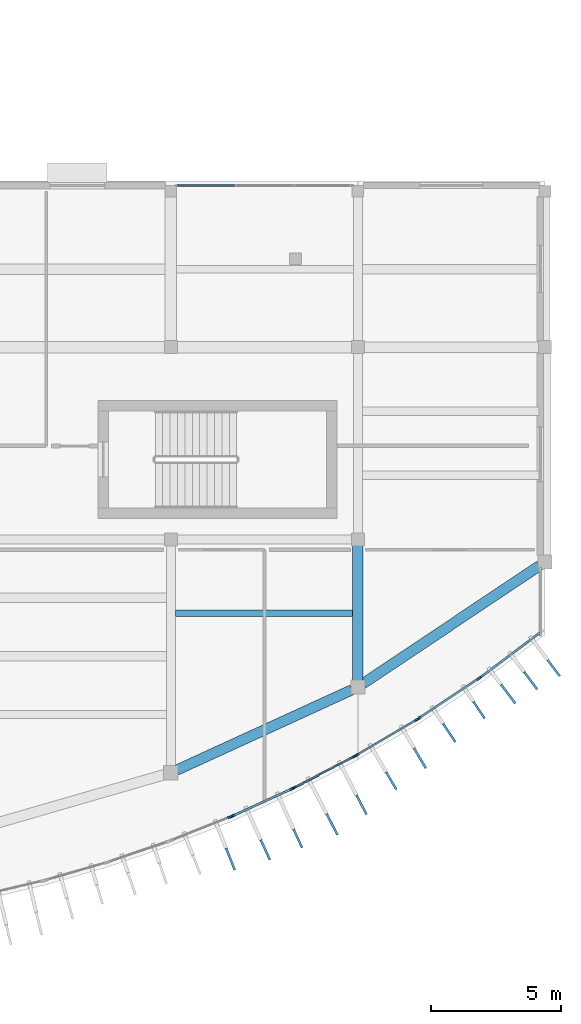
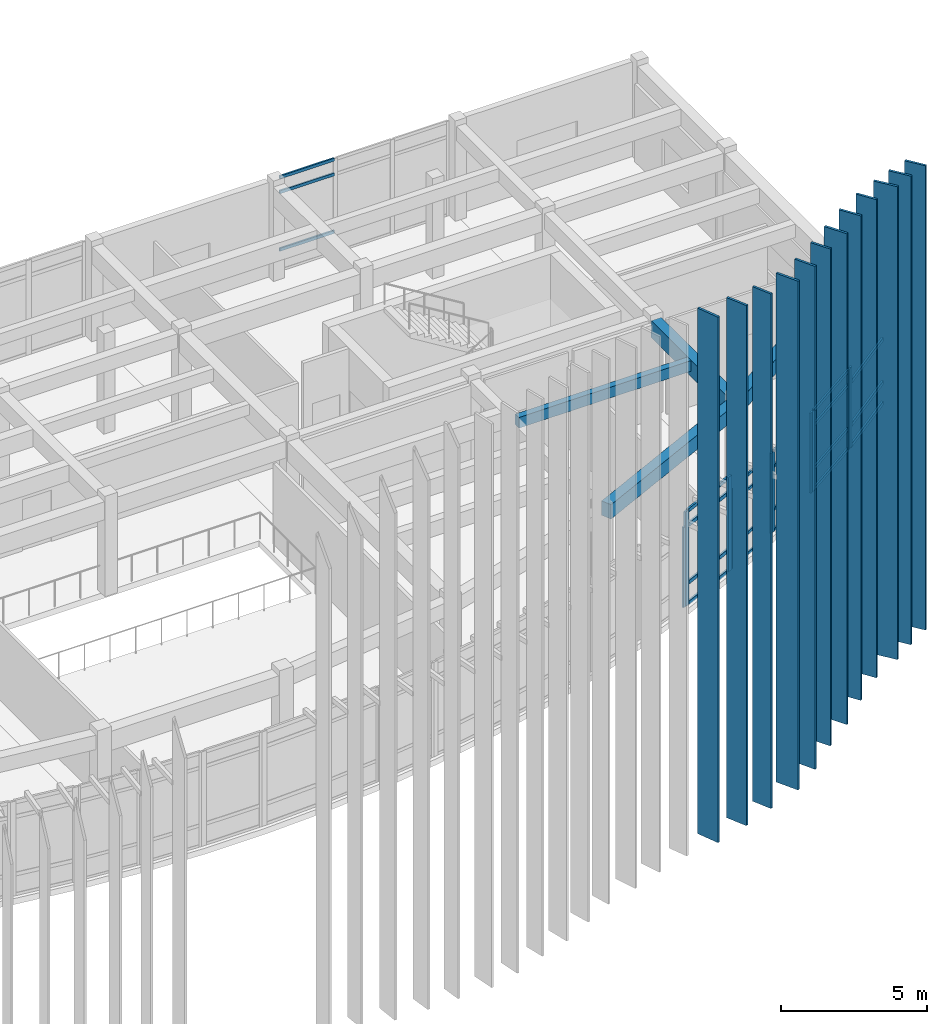
# One storey, part 21 of 47: 44 members, 4 beams, 7 elements without a shape of their own.
"""IFC4 building model written with IfcOpenShell, lengths in metres."""

from ifc_helpers import new_model, si_unit, direction, frame, origin, origin_2d, place, context, subcontext, project, spatial, rectangle, extrude, material, layer, layer_set, material_profile, profile_set, type_object, element, aggregate, save


model = new_model("IFC4")

# Units and contexts
model_context = context("Model", 3, precision=1e-05, world=origin(), true_north=direction((0.0, 1.0)))
body_context = subcontext(model_context, "Body", "Model", "MODEL_VIEW")
ifc_project = project(units=[si_unit("LENGTHUNIT", "METRE"), si_unit("AREAUNIT", "SQUARE_METRE"), si_unit("VOLUMEUNIT", "CUBIC_METRE"), si_unit("PLANEANGLEUNIT", "RADIAN"), si_unit("MASSUNIT", "GRAM", prefix="KILO")], contexts=[model_context])

# Site, building, storey
site_placement = place(None, origin())
site = spatial("IfcSite", under=ifc_project, at=site_placement, CompositionType="ELEMENT")
building_placement = place(site_placement, origin())
building = spatial("IfcBuilding", under=site, at=building_placement, Name="Brisavento Harbour Community Centre", CompositionType="ELEMENT")
storey_placement = place(building_placement, frame((0.0, 0.0, 8.699951171875)))
storey = spatial("IfcBuildingStorey", under=building, at=storey_placement, Name="L02", CompositionType="ELEMENT", Elevation=8.699951171875)

# Beams
ifc_material_1 = material(Name="Concrete C35/45", Category="concrete")
ifc_material_profile_1 = material_profile(ifc_material_1, rectangle(XDim=0.25, YDim=0.449951171875, at=origin_2d()), Name="Concrete C35/45")
ifc_profile_set_1 = profile_set([ifc_material_profile_1], Name="Concrete C35/45")
beam_type_1 = type_object("IfcBeamType", Name="BM-JST-250x450", PredefinedType="JOIST", material=ifc_profile_set_1)
beam_1_placement = place(storey_placement, frame((158.574951171875, 12.156982421875, 3.735107421875), z_axis=(1.0, 0.0, 0.0), x_axis=(0.0, 1.0, 0.0)))
element("IfcBeam", 1, at=beam_1_placement, inside=storey, type_object=beam_type_1, Name="L02 secondary floor joist 0321", PredefinedType="JOIST", context=body_context, shape_type="SweptSolid", body=[
    extrude(rectangle(XDim=0.25, YDim=0.449951171875, at=origin_2d()), origin(), (0.0, 0.0, 1.0), 6.824951171875),
])
ifc_material_profile_2 = material_profile(ifc_material_1, rectangle(XDim=0.39990234375, YDim=0.699951171875, at=origin_2d()), Name="Concrete C35/45")
ifc_profile_set_2 = profile_set([ifc_material_profile_2], Name="Concrete C35/45")
beam_type_2 = type_object("IfcBeamType", Name="BM-RC-400x700", PredefinedType="BEAM", material=ifc_profile_set_2)
beam_2_placement = place(storey_placement, frame((165.60009765625, 9.55908203125, 3.610107421875), z_axis=(0.0, 1.0, 0.0), x_axis=(-1.0, 0.0, 0.0)))
element("IfcBeam", 2, at=beam_2_placement, inside=storey, type_object=beam_type_2, Name="L02 primary girder Y0627", PredefinedType="BEAM", context=body_context, shape_type="SweptSolid", body=[
    extrude(rectangle(XDim=0.39990234375, YDim=0.699951171875, at=origin_2d()), origin(), (0.0, 0.0, 1.0), 5.220947265625),
])
ifc_material_profile_3 = material_profile(ifc_material_1, rectangle(XDim=0.39990234375, YDim=0.60009765625, at=origin_2d()), Name="Concrete C35/45")
ifc_profile_set_3 = profile_set([ifc_material_profile_3], Name="Concrete C35/45")
beam_type_3 = type_object("IfcBeamType", Name="BM-SPN-400x600", PredefinedType="SPANDREL", material=ifc_profile_set_3)
beam_3_placement = place(storey_placement, frame((158.622802734375, 6.1171875, 3.66015625), z_axis=(0.909117712907, 0.416539294759, 0.0), x_axis=(-0.416539294759, 0.909117712907, 0.0)))
element("IfcBeam", 3, at=beam_3_placement, inside=storey, type_object=beam_type_3, Name="L02 curved perimeter spandrel 0644", PredefinedType="SPANDREL", context=body_context, shape_type="SweptSolid", body=[
    extrude(rectangle(XDim=0.39990234375, YDim=0.60009765625, at=origin_2d()), origin(), (0.0, 0.0, 1.0), 7.4296875),
])
beam_4_placement = place(storey_placement, frame((165.8037109375, 9.4501953125, 3.66015625), z_axis=(0.831304857774, 0.555816726486, 0.0), x_axis=(-0.555816726486, 0.831304857774, 0.0)))
element("IfcBeam", 4, at=beam_4_placement, inside=storey, type_object=beam_type_3, Name="L02 curved perimeter spandrel 0645", PredefinedType="SPANDREL", context=body_context, shape_type="SweptSolid", body=[
    extrude(rectangle(XDim=0.39990234375, YDim=0.60009765625, at=origin_2d()), origin(), (0.0, 0.0, 1.0), 8.1708984375),
])

# Curtain wall, members
ifc_material_2 = material(Name="Marine-anodised aluminium AW-6063-T6", Category="aluminium")
ifc_layer_1 = layer(ifc_material_2, 0.179931640625, Name="Marine-anodised aluminium AW-6063-T6")
ifc_layer_set_1 = layer_set([ifc_layer_1], Name="Marine-anodised aluminium AW-6063-T6")
curtain_wall_type_1 = type_object("IfcCurtainWallType", Name="CW-SYS-01", PredefinedType="USERDEFINED", material=ifc_layer_set_1)
curtain_wall_1_placement = place(storey_placement, origin())
curtain_wall_1 = element("IfcCurtainWall", 5, at=curtain_wall_1_placement, inside=storey, type_object=curtain_wall_type_1, Name="L02 V3 unitised curtain wall 141", ObjectType="UNITISED CURTAIN WALL", PredefinedType="USERDEFINED")
ifc_material_profile_4 = material_profile(ifc_material_2, rectangle(XDim=0.06494140625, YDim=0.1650390625, at=origin_2d()), Name="Marine-anodised aluminium AW-6063-T6")
ifc_profile_set_4 = profile_set([ifc_material_profile_4], Name="Marine-anodised aluminium AW-6063-T6")
member_type_1 = type_object("IfcMemberType", Name="CWM-01", PredefinedType="MULLION", material=ifc_profile_set_4)
member_1_placement = place(storey_placement, frame((165.47216796875, 6.650634765625, 0.0), z_axis=(0.0, 0.0, 1.0), x_axis=(0.461718322689, -0.887026600781, 0.0)))
member_1 = element("IfcMember", 6, at=member_1_placement, type_object=member_type_1, Name="CW-01 mullion 1", PredefinedType="MULLION", context=body_context, shape_type="SweptSolid", body=[
    extrude(rectangle(XDim=0.06494140625, YDim=0.1650390625, at=origin_2d()), origin(), (0.0, 0.0, 1.0), 3.360107421875),
])
member_2_placement = place(storey_placement, frame((163.16162109375, 5.447998046875, 0.0), z_axis=(0.0, 0.0, 1.0), x_axis=(0.461718322689, -0.887026600781, 0.0)))
member_2 = element("IfcMember", 7, at=member_2_placement, type_object=member_type_1, Name="CW-01 mullion 2", PredefinedType="MULLION", context=body_context, shape_type="SweptSolid", body=[
    extrude(rectangle(XDim=0.06494140625, YDim=0.1650390625, at=origin_2d()), origin(), (0.0, 0.0, 1.0), 3.360107421875),
])

ifc_layer_2 = layer(ifc_material_2, 0.179931640625, Name="Marine-anodised aluminium AW-6063-T6")
ifc_layer_set_2 = layer_set([ifc_layer_2], Name="Marine-anodised aluminium AW-6063-T6")
curtain_wall_type_2 = type_object("IfcCurtainWallType", Name="CW-SYS-02", PredefinedType="USERDEFINED", material=ifc_layer_set_2)
curtain_wall_2_placement = place(storey_placement, origin())
curtain_wall_2 = element("IfcCurtainWall", 8, at=curtain_wall_2_placement, inside=storey, type_object=curtain_wall_type_2, Name="L02 V3 unitised curtain wall 142", ObjectType="UNITISED CURTAIN WALL", PredefinedType="USERDEFINED")
ifc_material_profile_5 = material_profile(ifc_material_2, rectangle(XDim=0.070068359375, YDim=0.179931640625, at=origin_2d()), Name="Marine-anodised aluminium AW-6063-T6")
ifc_profile_set_5 = profile_set([ifc_material_profile_5], Name="Marine-anodised aluminium AW-6063-T6")
member_type_2 = type_object("IfcMemberType", Name="CWM-02", PredefinedType="MULLION", material=ifc_profile_set_5)
member_3_placement = place(storey_placement, frame((167.863037109375, 8.057373046875, 0.0), z_axis=(0.0, 0.0, 1.0), x_axis=(0.50787640703, -0.861429947925, 0.0)))
member_3 = element("IfcMember", 9, at=member_3_placement, type_object=member_type_2, Name="CW-02 mullion 1", PredefinedType="MULLION", context=body_context, shape_type="SweptSolid", body=[
    extrude(rectangle(XDim=0.070068359375, YDim=0.179931640625, at=origin_2d()), origin(), (0.0, 0.0, 1.0), 3.360107421875),
])
member_4_placement = place(storey_placement, frame((165.55419921875, 6.6962890625, 0.0), z_axis=(0.0, 0.0, 1.0), x_axis=(0.50787640703, -0.861429947925, 0.0)))
member_4 = element("IfcMember", 10, at=member_4_placement, type_object=member_type_2, Name="CW-02 mullion 2", PredefinedType="MULLION", context=body_context, shape_type="SweptSolid", body=[
    extrude(rectangle(XDim=0.070068359375, YDim=0.179931640625, at=origin_2d()), origin(), (0.0, 0.0, 1.0), 3.360107421875),
])

# Curtain wall, member
ifc_layer_3 = layer(ifc_material_2, 0.179931640625, Name="Marine-anodised aluminium AW-6063-T6")
ifc_layer_set_3 = layer_set([ifc_layer_3], Name="Marine-anodised aluminium AW-6063-T6")
curtain_wall_type_3 = type_object("IfcCurtainWallType", Name="CW-SYS-27", PredefinedType="USERDEFINED", material=ifc_layer_set_3)
curtain_wall_3_placement = place(storey_placement, origin())
curtain_wall_3 = element("IfcCurtainWall", 11, at=curtain_wall_3_placement, inside=storey, type_object=curtain_wall_type_3, Name="L02 V3 unitised curtain wall 139", ObjectType="UNITISED CURTAIN WALL", PredefinedType="USERDEFINED")
ifc_material_profile_6 = material_profile(ifc_material_2, rectangle(XDim=0.074951171875, YDim=0.18994140625, at=origin_2d()), Name="Marine-anodised aluminium AW-6063-T6")
ifc_profile_set_6 = profile_set([ifc_material_profile_6], Name="Marine-anodised aluminium AW-6063-T6")
member_type_3 = type_object("IfcMemberType", Name="CWM-03", PredefinedType="MULLION", material=ifc_profile_set_6)
member_5_placement = place(storey_placement, frame((160.681884765625, 4.3154296875, 0.0), z_axis=(0.0, 0.0, 1.0), x_axis=(0.369379094613, -0.929278798027, 0.0)))
member_5 = element("IfcMember", 12, at=member_5_placement, type_object=member_type_3, Name="CW-27 mullion 1", PredefinedType="MULLION", context=body_context, shape_type="SweptSolid", body=[
    extrude(rectangle(XDim=0.074951171875, YDim=0.18994140625, at=origin_2d()), origin(), (0.0, 0.0, 1.0), 3.360107421875),
])
aggregate(curtain_wall_3, [member_5])

# Curtain wall, members
ifc_layer_4 = layer(ifc_material_2, 0.179931640625, Name="Marine-anodised aluminium AW-6063-T6")
ifc_layer_set_4 = layer_set([ifc_layer_4], Name="Marine-anodised aluminium AW-6063-T6")
curtain_wall_type_4 = type_object("IfcCurtainWallType", Name="CW-SYS-03", PredefinedType="USERDEFINED", material=ifc_layer_set_4)
curtain_wall_4_placement = place(storey_placement, origin())
curtain_wall_4 = element("IfcCurtainWall", 13, at=curtain_wall_4_placement, inside=storey, type_object=curtain_wall_type_4, Name="L02 V3 unitised curtain wall 143", ObjectType="UNITISED CURTAIN WALL", PredefinedType="USERDEFINED")
member_6_placement = place(storey_placement, frame((170.254150390625, 9.6455078125, 0.0), z_axis=(0.0, 0.0, 1.0), x_axis=(0.554067779199, -0.832471558705, 0.0)))
member_6 = element("IfcMember", 14, at=member_6_placement, type_object=member_type_3, Name="CW-03 mullion 1", PredefinedType="MULLION", context=body_context, shape_type="SweptSolid", body=[
    extrude(rectangle(XDim=0.074951171875, YDim=0.18994140625, at=origin_2d()), origin(), (0.0, 0.0, 1.0), 3.360107421875),
])
member_7_placement = place(storey_placement, frame((167.946533203125, 8.10986328125, 0.0), z_axis=(0.0, 0.0, 1.0), x_axis=(0.554067779199, -0.832471558705, 0.0)))
member_7 = element("IfcMember", 15, at=member_7_placement, type_object=member_type_3, Name="CW-03 mullion 2", PredefinedType="MULLION", context=body_context, shape_type="SweptSolid", body=[
    extrude(rectangle(XDim=0.074951171875, YDim=0.18994140625, at=origin_2d()), origin(), (0.0, 0.0, 1.0), 3.360107421875),
])

ifc_layer_5 = layer(ifc_material_2, 0.179931640625, Name="Marine-anodised aluminium AW-6063-T6")
ifc_layer_set_5 = layer_set([ifc_layer_5], Name="Marine-anodised aluminium AW-6063-T6")
curtain_wall_type_5 = type_object("IfcCurtainWallType", Name="CW-SYS-28", PredefinedType="USERDEFINED", material=ifc_layer_set_5)
curtain_wall_5_placement = place(storey_placement, origin())
curtain_wall_5 = element("IfcCurtainWall", 16, at=curtain_wall_5_placement, inside=storey, type_object=curtain_wall_type_5, Name="L02 V3 unitised curtain wall 140", ObjectType="UNITISED CURTAIN WALL", PredefinedType="USERDEFINED")
ifc_material_profile_7 = material_profile(ifc_material_2, rectangle(XDim=0.080078125, YDim=0.2099609375, at=origin_2d()), Name="Marine-anodised aluminium AW-6063-T6")
ifc_profile_set_7 = profile_set([ifc_material_profile_7], Name="Marine-anodised aluminium AW-6063-T6")
member_type_4 = type_object("IfcMemberType", Name="CWM-04", PredefinedType="MULLION", material=ifc_profile_set_7)
member_8_placement = place(storey_placement, frame((163.072509765625, 5.404541015625, 0.0), z_axis=(0.0, 0.0, 1.0), x_axis=(0.415490040189, -0.909597727846, 0.0)))
member_8 = element("IfcMember", 17, at=member_8_placement, type_object=member_type_4, Name="CW-28 mullion 1", PredefinedType="MULLION", context=body_context, shape_type="SweptSolid", body=[
    extrude(rectangle(XDim=0.080078125, YDim=0.2099609375, at=origin_2d()), origin(), (0.0, 0.0, 1.0), 3.9599609375),
])
member_9_placement = place(storey_placement, frame((160.778076171875, 4.3564453125, 0.0), z_axis=(0.0, 0.0, 1.0), x_axis=(0.415490040189, -0.909597727846, 0.0)))
member_9 = element("IfcMember", 18, at=member_9_placement, type_object=member_type_4, Name="CW-28 mullion 2", PredefinedType="MULLION", context=body_context, shape_type="SweptSolid", body=[
    extrude(rectangle(XDim=0.080078125, YDim=0.2099609375, at=origin_2d()), origin(), (0.0, 0.0, 1.0), 3.9599609375),
])

# Curtain wall, member
ifc_layer_6 = layer(ifc_material_2, 0.179931640625, Name="Marine-anodised aluminium AW-6063-T6")
ifc_layer_set_6 = layer_set([ifc_layer_6], Name="Marine-anodised aluminium AW-6063-T6")
curtain_wall_type_6 = type_object("IfcCurtainWallType", Name="CW-SYS-04", PredefinedType="USERDEFINED", material=ifc_layer_set_6)
curtain_wall_6_placement = place(storey_placement, origin())
curtain_wall_6 = element("IfcCurtainWall", 19, at=curtain_wall_6_placement, inside=storey, type_object=curtain_wall_type_6, Name="L02 V3 unitised curtain wall 144", ObjectType="UNITISED CURTAIN WALL", PredefinedType="USERDEFINED")
member_10_placement = place(storey_placement, frame((170.33837890625, 9.705322265625, 0.0), z_axis=(0.0, 0.0, 1.0), x_axis=(0.600259014917, -0.79980567328, 0.0)))
member_10 = element("IfcMember", 20, at=member_10_placement, type_object=member_type_4, Name="CW-04 mullion 2", PredefinedType="MULLION", context=body_context, shape_type="SweptSolid", body=[
    extrude(rectangle(XDim=0.080078125, YDim=0.2099609375, at=origin_2d()), origin(), (0.0, 0.0, 1.0), 3.360107421875),
])

# Member
ifc_material_profile_8 = material_profile(ifc_material_2, rectangle(XDim=0.06494140625, YDim=0.125, at=origin_2d()), Name="Marine-anodised aluminium AW-6063-T6")
ifc_profile_set_8 = profile_set([ifc_material_profile_8], Name="Marine-anodised aluminium AW-6063-T6")
member_type_5 = type_object("IfcMemberType", Name="CWT-01", PredefinedType="USERDEFINED", material=ifc_profile_set_8)
member_11_placement = place(storey_placement, frame((165.443359375, 6.635498046875, 0.032470703125), z_axis=(-0.887021549542, -0.461728026709, 0.0), x_axis=(0.461728026709, -0.887021549542, 0.0)))
member_11 = element("IfcMember", 21, at=member_11_placement, type_object=member_type_5, Name="CW-01 transom 1.1", ObjectType="TRANSOM", PredefinedType="USERDEFINED", context=body_context, shape_type="SweptSolid", body=[
    extrude(rectangle(XDim=0.06494140625, YDim=0.125, at=origin_2d()), origin(), (0.0, 0.0, 1.0), 2.53955078125),
])

member_12_placement = place(storey_placement, frame((165.443359375, 6.635498046875, 0.900146484375), z_axis=(-0.887021549542, -0.461728026709, 0.0), x_axis=(0.461728026709, -0.887021549542, 0.0)))
member_12 = element("IfcMember", 22, at=member_12_placement, type_object=member_type_5, Name="CW-01 transom 1.2", ObjectType="TRANSOM", PredefinedType="USERDEFINED", context=body_context, shape_type="SweptSolid", body=[
    extrude(rectangle(XDim=0.06494140625, YDim=0.125, at=origin_2d()), origin(), (0.0, 0.0, 1.0), 2.53955078125),
])

member_13_placement = place(storey_placement, frame((165.443359375, 6.635498046875, 2.7099609375), z_axis=(-0.887021549542, -0.461728026709, 0.0), x_axis=(0.461728026709, -0.887021549542, 0.0)))
member_13 = element("IfcMember", 23, at=member_13_placement, type_object=member_type_5, Name="CW-01 transom 1.3", ObjectType="TRANSOM", PredefinedType="USERDEFINED", context=body_context, shape_type="SweptSolid", body=[
    extrude(rectangle(XDim=0.06494140625, YDim=0.125, at=origin_2d()), origin(), (0.0, 0.0, 1.0), 2.53955078125),
])

member_14_placement = place(storey_placement, frame((165.443359375, 6.635498046875, 3.32763671875), z_axis=(-0.887021549542, -0.461728026709, 0.0), x_axis=(0.461728026709, -0.887021549542, 0.0)))
member_14 = element("IfcMember", 24, at=member_14_placement, type_object=member_type_5, Name="CW-01 transom 1.4", ObjectType="TRANSOM", PredefinedType="USERDEFINED", context=body_context, shape_type="SweptSolid", body=[
    extrude(rectangle(XDim=0.06494140625, YDim=0.125, at=origin_2d()), origin(), (0.0, 0.0, 1.0), 2.53955078125),
])

aggregate(curtain_wall_1, [member_1, member_2, member_11, member_12, member_13, member_14])

# Curtain wall, members
ifc_layer_7 = layer(ifc_material_2, 0.179931640625, Name="Marine-anodised aluminium AW-6063-T6")
ifc_layer_set_7 = layer_set([ifc_layer_7], Name="Marine-anodised aluminium AW-6063-T6")
curtain_wall_type_7 = type_object("IfcCurtainWallType", Name="CW-SYS-09", PredefinedType="USERDEFINED", material=ifc_layer_set_7)
curtain_wall_7_placement = place(storey_placement, origin())
curtain_wall_7 = element("IfcCurtainWall", 25, at=curtain_wall_7_placement, inside=storey, type_object=curtain_wall_type_7, Name="L02 V3 unitised curtain wall 149", ObjectType="UNITISED CURTAIN WALL", PredefinedType="USERDEFINED")
member_15_placement = place(storey_placement, frame((158.675048828125, 28.6201171875, 0.900146484375), z_axis=(1.0, 0.0, 0.0), x_axis=(0.0, 1.0, 0.0)))
member_15 = element("IfcMember", 26, at=member_15_placement, type_object=member_type_5, Name="CW-09 transom 1.2", ObjectType="TRANSOM", PredefinedType="USERDEFINED", context=body_context, shape_type="SweptSolid", body=[
    extrude(rectangle(XDim=0.06494140625, YDim=0.125, at=origin_2d()), origin(), (0.0, 0.0, 1.0), 2.162353515625),
])
member_16_placement = place(storey_placement, frame((158.675048828125, 28.6201171875, 3.31005859375), z_axis=(1.0, 0.0, 0.0), x_axis=(0.0, 1.0, 0.0)))
member_16 = element("IfcMember", 27, at=member_16_placement, type_object=member_type_5, Name="CW-09 transom 1.3", ObjectType="TRANSOM", PredefinedType="USERDEFINED", context=body_context, shape_type="SweptSolid", body=[
    extrude(rectangle(XDim=0.06494140625, YDim=0.125, at=origin_2d()), origin(), (0.0, 0.0, 1.0), 2.162353515625),
])
member_17_placement = place(storey_placement, frame((158.675048828125, 28.6201171875, 3.927490234375), z_axis=(1.0, 0.0, 0.0), x_axis=(0.0, 1.0, 0.0)))
member_17 = element("IfcMember", 28, at=member_17_placement, type_object=member_type_5, Name="CW-09 transom 1.4", ObjectType="TRANSOM", PredefinedType="USERDEFINED", context=body_context, shape_type="SweptSolid", body=[
    extrude(rectangle(XDim=0.06494140625, YDim=0.125, at=origin_2d()), origin(), (0.0, 0.0, 1.0), 2.162353515625),
])
aggregate(curtain_wall_7, [member_15, member_16, member_17])

# Member
ifc_material_profile_9 = material_profile(ifc_material_2, rectangle(XDim=0.070068359375, YDim=0.132080078125, at=origin_2d()), Name="Marine-anodised aluminium AW-6063-T6")
ifc_profile_set_9 = profile_set([ifc_material_profile_9], Name="Marine-anodised aluminium AW-6063-T6")
member_type_6 = type_object("IfcMemberType", Name="CWT-02", PredefinedType="USERDEFINED", material=ifc_profile_set_9)
member_18_placement = place(storey_placement, frame((167.832763671875, 8.03955078125, 0.03515625), z_axis=(-0.861404731143, -0.507919175818, 0.0), x_axis=(0.507919175818, -0.861404731143, 0.0)))
member_18 = element("IfcMember", 29, at=member_18_placement, type_object=member_type_6, Name="CW-02 transom 1.1", ObjectType="TRANSOM", PredefinedType="USERDEFINED", context=body_context, shape_type="SweptSolid", body=[
    extrude(rectangle(XDim=0.070068359375, YDim=0.132080078125, at=origin_2d()), origin(), (0.0, 0.0, 1.0), 2.610107421875),
])

member_19_placement = place(storey_placement, frame((167.832763671875, 8.03955078125, 0.900146484375), z_axis=(-0.861404731143, -0.507919175818, 0.0), x_axis=(0.507919175818, -0.861404731143, 0.0)))
member_19 = element("IfcMember", 30, at=member_19_placement, type_object=member_type_6, Name="CW-02 transom 1.2", ObjectType="TRANSOM", PredefinedType="USERDEFINED", context=body_context, shape_type="SweptSolid", body=[
    extrude(rectangle(XDim=0.070068359375, YDim=0.132080078125, at=origin_2d()), origin(), (0.0, 0.0, 1.0), 2.610107421875),
])

member_20_placement = place(storey_placement, frame((167.832763671875, 8.03955078125, 2.7099609375), z_axis=(-0.861404731143, -0.507919175818, 0.0), x_axis=(0.507919175818, -0.861404731143, 0.0)))
member_20 = element("IfcMember", 31, at=member_20_placement, type_object=member_type_6, Name="CW-02 transom 1.3", ObjectType="TRANSOM", PredefinedType="USERDEFINED", context=body_context, shape_type="SweptSolid", body=[
    extrude(rectangle(XDim=0.070068359375, YDim=0.132080078125, at=origin_2d()), origin(), (0.0, 0.0, 1.0), 2.610107421875),
])

member_21_placement = place(storey_placement, frame((167.832763671875, 8.03955078125, 3.324951171875), z_axis=(-0.861404731143, -0.507919175818, 0.0), x_axis=(0.507919175818, -0.861404731143, 0.0)))
member_21 = element("IfcMember", 32, at=member_21_placement, type_object=member_type_6, Name="CW-02 transom 1.4", ObjectType="TRANSOM", PredefinedType="USERDEFINED", context=body_context, shape_type="SweptSolid", body=[
    extrude(rectangle(XDim=0.070068359375, YDim=0.132080078125, at=origin_2d()), origin(), (0.0, 0.0, 1.0), 2.610107421875),
])

aggregate(curtain_wall_2, [member_3, member_4, member_18, member_19, member_20, member_21])

ifc_material_profile_10 = material_profile(ifc_material_2, rectangle(XDim=0.074951171875, YDim=0.139892578125, at=origin_2d()), Name="Marine-anodised aluminium AW-6063-T6")
ifc_profile_set_10 = profile_set([ifc_material_profile_10], Name="Marine-anodised aluminium AW-6063-T6")
member_type_7 = type_object("IfcMemberType", Name="CWT-03", PredefinedType="USERDEFINED", material=ifc_profile_set_10)
member_22_placement = place(storey_placement, frame((170.222900390625, 9.624755859375, 0.03759765625), z_axis=(-0.8324957022, -0.554031502551, 0.0), x_axis=(0.554031502551, -0.8324957022, 0.0)))
member_22 = element("IfcMember", 33, at=member_22_placement, type_object=member_type_7, Name="CW-03 transom 1.1", ObjectType="TRANSOM", PredefinedType="USERDEFINED", context=body_context, shape_type="SweptSolid", body=[
    extrude(rectangle(XDim=0.074951171875, YDim=0.139892578125, at=origin_2d()), origin(), (0.0, 0.0, 1.0), 2.69677734375),
])

member_23_placement = place(storey_placement, frame((170.222900390625, 9.624755859375, 0.900146484375), z_axis=(-0.8324957022, -0.554031502551, 0.0), x_axis=(0.554031502551, -0.8324957022, 0.0)))
member_23 = element("IfcMember", 34, at=member_23_placement, type_object=member_type_7, Name="CW-03 transom 1.2", ObjectType="TRANSOM", PredefinedType="USERDEFINED", context=body_context, shape_type="SweptSolid", body=[
    extrude(rectangle(XDim=0.074951171875, YDim=0.139892578125, at=origin_2d()), origin(), (0.0, 0.0, 1.0), 2.69677734375),
])

member_24_placement = place(storey_placement, frame((170.222900390625, 9.624755859375, 2.7099609375), z_axis=(-0.8324957022, -0.554031502551, 0.0), x_axis=(0.554031502551, -0.8324957022, 0.0)))
member_24 = element("IfcMember", 35, at=member_24_placement, type_object=member_type_7, Name="CW-03 transom 1.3", ObjectType="TRANSOM", PredefinedType="USERDEFINED", context=body_context, shape_type="SweptSolid", body=[
    extrude(rectangle(XDim=0.074951171875, YDim=0.139892578125, at=origin_2d()), origin(), (0.0, 0.0, 1.0), 2.69677734375),
])

member_25_placement = place(storey_placement, frame((170.222900390625, 9.624755859375, 3.322509765625), z_axis=(-0.8324957022, -0.554031502551, 0.0), x_axis=(0.554031502551, -0.8324957022, 0.0)))
member_25 = element("IfcMember", 36, at=member_25_placement, type_object=member_type_7, Name="CW-03 transom 1.4", ObjectType="TRANSOM", PredefinedType="USERDEFINED", context=body_context, shape_type="SweptSolid", body=[
    extrude(rectangle(XDim=0.074951171875, YDim=0.139892578125, at=origin_2d()), origin(), (0.0, 0.0, 1.0), 2.69677734375),
])

aggregate(curtain_wall_4, [member_6, member_7, member_22, member_23, member_24, member_25])

ifc_material_profile_11 = material_profile(ifc_material_2, rectangle(XDim=0.080078125, YDim=0.155029296875, at=origin_2d()), Name="Marine-anodised aluminium AW-6063-T6")
ifc_profile_set_11 = profile_set([ifc_material_profile_11], Name="Marine-anodised aluminium AW-6063-T6")
member_type_8 = type_object("IfcMemberType", Name="CWT-04", PredefinedType="USERDEFINED", material=ifc_profile_set_11)
member_26_placement = place(storey_placement, frame((163.0361328125, 5.387939453125, 0.0400390625), z_axis=(-0.909587827252, -0.415511714053, 0.0), x_axis=(0.415511714053, -0.909587827252, 0.0)))
member_26 = element("IfcMember", 37, at=member_26_placement, type_object=member_type_8, Name="CW-28 transom 1.1", ObjectType="TRANSOM", PredefinedType="USERDEFINED", context=body_context, shape_type="SweptSolid", body=[
    extrude(rectangle(XDim=0.080078125, YDim=0.155029296875, at=origin_2d()), origin(), (0.0, 0.0, 1.0), 2.442626953125),
])

member_27_placement = place(storey_placement, frame((163.0361328125, 5.387939453125, 0.900146484375), z_axis=(-0.909587827252, -0.415511714053, 0.0), x_axis=(0.415511714053, -0.909587827252, 0.0)))
member_27 = element("IfcMember", 38, at=member_27_placement, type_object=member_type_8, Name="CW-28 transom 1.2", ObjectType="TRANSOM", PredefinedType="USERDEFINED", context=body_context, shape_type="SweptSolid", body=[
    extrude(rectangle(XDim=0.080078125, YDim=0.155029296875, at=origin_2d()), origin(), (0.0, 0.0, 1.0), 2.442626953125),
])

member_28_placement = place(storey_placement, frame((163.0361328125, 5.387939453125, 3.31005859375), z_axis=(-0.909587827252, -0.415511714053, 0.0), x_axis=(0.415511714053, -0.909587827252, 0.0)))
member_28 = element("IfcMember", 39, at=member_28_placement, type_object=member_type_8, Name="CW-28 transom 1.3", ObjectType="TRANSOM", PredefinedType="USERDEFINED", context=body_context, shape_type="SweptSolid", body=[
    extrude(rectangle(XDim=0.080078125, YDim=0.155029296875, at=origin_2d()), origin(), (0.0, 0.0, 1.0), 2.442626953125),
])

member_29_placement = place(storey_placement, frame((163.0361328125, 5.387939453125, 3.920166015625), z_axis=(-0.909587827252, -0.415511714053, 0.0), x_axis=(0.415511714053, -0.909587827252, 0.0)))
member_29 = element("IfcMember", 40, at=member_29_placement, type_object=member_type_8, Name="CW-28 transom 1.4", ObjectType="TRANSOM", PredefinedType="USERDEFINED", context=body_context, shape_type="SweptSolid", body=[
    extrude(rectangle(XDim=0.080078125, YDim=0.155029296875, at=origin_2d()), origin(), (0.0, 0.0, 1.0), 2.442626953125),
])

aggregate(curtain_wall_5, [member_8, member_9, member_26, member_27, member_28, member_29])

member_30_placement = place(storey_placement, frame((172.613525390625, 11.412841796875, 0.0400390625), z_axis=(-0.799791037869, -0.600278515144, 0.0), x_axis=(0.600278515144, -0.799791037869, 0.0)))
member_30 = element("IfcMember", 41, at=member_30_placement, type_object=member_type_8, Name="CW-04 transom 1.1", ObjectType="TRANSOM", PredefinedType="USERDEFINED", context=body_context, shape_type="SweptSolid", body=[
    extrude(rectangle(XDim=0.080078125, YDim=0.155029296875, at=origin_2d()), origin(), (0.0, 0.0, 1.0), 2.8046875),
])

member_31_placement = place(storey_placement, frame((172.613525390625, 11.412841796875, 0.900146484375), z_axis=(-0.799791037869, -0.600278515144, 0.0), x_axis=(0.600278515144, -0.799791037869, 0.0)))
member_31 = element("IfcMember", 42, at=member_31_placement, type_object=member_type_8, Name="CW-04 transom 1.2", ObjectType="TRANSOM", PredefinedType="USERDEFINED", context=body_context, shape_type="SweptSolid", body=[
    extrude(rectangle(XDim=0.080078125, YDim=0.155029296875, at=origin_2d()), origin(), (0.0, 0.0, 1.0), 2.8046875),
])

member_32_placement = place(storey_placement, frame((172.613525390625, 11.412841796875, 2.7099609375), z_axis=(-0.799791037869, -0.600278515144, 0.0), x_axis=(0.600278515144, -0.799791037869, 0.0)))
member_32 = element("IfcMember", 43, at=member_32_placement, type_object=member_type_8, Name="CW-04 transom 1.3", ObjectType="TRANSOM", PredefinedType="USERDEFINED", context=body_context, shape_type="SweptSolid", body=[
    extrude(rectangle(XDim=0.080078125, YDim=0.155029296875, at=origin_2d()), origin(), (0.0, 0.0, 1.0), 2.8046875),
])

aggregate(curtain_wall_6, [member_10, member_30, member_31, member_32])

# Members
ifc_material_3 = material(Name="Off-white marine-anodised aluminium AW-6063-T6", Category="aluminium")
ifc_material_profile_12 = material_profile(ifc_material_3, rectangle(XDim=0.090087890625, YDim=0.89990234375, at=origin_2d()), Name="Off-white marine-anodised aluminium AW-6063-T6")
ifc_profile_set_12 = profile_set([ifc_material_profile_12], Name="Off-white marine-anodised aluminium AW-6063-T6")
member_type_9 = type_object("IfcMemberType", Name="FIN-STORM-1", PredefinedType="USERDEFINED", material=ifc_profile_set_12)
member_33_placement = place(storey_placement, frame((160.6923828125, 2.69140625, -8.699951171875), z_axis=(0.0, 0.0, 1.0), x_axis=(-0.92929381554, -0.369341311525, 0.0)))
element("IfcMember", 44, at=member_33_placement, inside=storey, type_object=member_type_9, Name="Standing-clear white storm fin 133", ObjectType="FIN", PredefinedType="USERDEFINED", context=body_context, shape_type="SweptSolid", body=[
    extrude(rectangle(XDim=0.090087890625, YDim=0.89990234375, at=origin_2d()), origin(), (0.0, 0.0, 1.0), 21.99853515625),
])
member_34_placement = place(storey_placement, frame((164.60498046875, 4.03076171875, -8.699951171875), z_axis=(0.0, 0.0, 1.0), x_axis=(-0.887035009063, -0.461702168823, 0.0)))
element("IfcMember", 45, at=member_34_placement, inside=storey, type_object=member_type_9, Name="Standing-clear white storm fin 136", ObjectType="FIN", PredefinedType="USERDEFINED", context=body_context, shape_type="SweptSolid", body=[
    extrude(rectangle(XDim=0.090087890625, YDim=0.89990234375, at=origin_2d()), origin(), (0.0, 0.0, 1.0), 21.298828125),
])
member_35_placement = place(storey_placement, frame((167.98828125, 6.577392578125, -8.699951171875), z_axis=(0.0, 0.0, 1.0), x_axis=(-0.861434216188, -0.507869167385, 0.0)))
element("IfcMember", 46, at=member_35_placement, inside=storey, type_object=member_type_9, Name="Standing-clear white storm fin 139", ObjectType="FIN", PredefinedType="USERDEFINED", context=body_context, shape_type="SweptSolid", body=[
    extrude(rectangle(XDim=0.090087890625, YDim=0.89990234375, at=origin_2d()), origin(), (0.0, 0.0, 1.0), 20.543212890625),
])
member_36_placement = place(storey_placement, frame((171.386474609375, 9.045166015625, -8.699951171875), z_axis=(0.0, 0.0, 1.0), x_axis=(-0.799810392665, -0.600252726595, 0.0)))
element("IfcMember", 47, at=member_36_placement, inside=storey, type_object=member_type_9, Name="Standing-clear white storm fin 142", ObjectType="FIN", PredefinedType="USERDEFINED", context=body_context, shape_type="SweptSolid", body=[
    extrude(rectangle(XDim=0.090087890625, YDim=0.89990234375, at=origin_2d()), origin(), (0.0, 0.0, 1.0), 19.794677734375),
])
ifc_material_profile_13 = material_profile(ifc_material_3, rectangle(XDim=0.087890625, YDim=0.840087890625, at=origin_2d()), Name="Off-white marine-anodised aluminium AW-6063-T6")
ifc_profile_set_13 = profile_set([ifc_material_profile_13], Name="Off-white marine-anodised aluminium AW-6063-T6")
member_type_10 = type_object("IfcMemberType", Name="FIN-STORM-2", PredefinedType="USERDEFINED", material=ifc_profile_set_13)
member_37_placement = place(storey_placement, frame((162.0361328125, 3.05029296875, -8.699951171875), z_axis=(0.0, 0.0, 1.0), x_axis=(-0.909584532519, -0.415518926407, 0.0)))
element("IfcMember", 48, at=member_37_placement, inside=storey, type_object=member_type_10, Name="Standing-clear white storm fin 134", ObjectType="FIN", PredefinedType="USERDEFINED", context=body_context, shape_type="SweptSolid", body=[
    extrude(rectangle(XDim=0.087890625, YDim=0.840087890625, at=origin_2d()), origin(), (0.0, 0.0, 1.0), 21.772705078125),
])
member_38_placement = place(storey_placement, frame((165.7392578125, 4.781494140625, -8.699951171875), z_axis=(0.0, 0.0, 1.0), x_axis=(-0.887035009063, -0.461702168823, 0.0)))
element("IfcMember", 49, at=member_38_placement, inside=storey, type_object=member_type_10, Name="Standing-clear white storm fin 137", ObjectType="FIN", PredefinedType="USERDEFINED", context=body_context, shape_type="SweptSolid", body=[
    extrude(rectangle(XDim=0.087890625, YDim=0.840087890625, at=origin_2d()), origin(), (0.0, 0.0, 1.0), 21.05224609375),
])
member_39_placement = place(storey_placement, frame((169.11669921875, 7.55224609375, -8.699951171875), z_axis=(0.0, 0.0, 1.0), x_axis=(-0.832476681109, -0.554060082852, 0.0)))
element("IfcMember", 50, at=member_39_placement, inside=storey, type_object=member_type_10, Name="Standing-clear white storm fin 140", ObjectType="FIN", PredefinedType="USERDEFINED", context=body_context, shape_type="SweptSolid", body=[
    extrude(rectangle(XDim=0.087890625, YDim=0.840087890625, at=origin_2d()), origin(), (0.0, 0.0, 1.0), 20.281982421875),
])
member_40_placement = place(storey_placement, frame((172.25, 9.56103515625, -8.699951171875), z_axis=(0.0, 0.0, 1.0), x_axis=(-0.799810392665, -0.600252726595, 0.0)))
element("IfcMember", 51, at=member_40_placement, inside=storey, type_object=member_type_10, Name="Standing-clear white storm fin 143", ObjectType="FIN", PredefinedType="USERDEFINED", context=body_context, shape_type="SweptSolid", body=[
    extrude(rectangle(XDim=0.087890625, YDim=0.840087890625, at=origin_2d()), origin(), (0.0, 0.0, 1.0), 19.615478515625),
])
ifc_material_profile_14 = material_profile(ifc_material_3, rectangle(XDim=0.0849609375, YDim=0.780029296875, at=origin_2d()), Name="Off-white marine-anodised aluminium AW-6063-T6")
ifc_profile_set_14 = profile_set([ifc_material_profile_14], Name="Off-white marine-anodised aluminium AW-6063-T6")
member_type_11 = type_object("IfcMemberType", Name="FIN-STORM-3", PredefinedType="USERDEFINED", material=ifc_profile_set_14)
member_41_placement = place(storey_placement, frame((163.287841796875, 3.4853515625, -8.699951171875), z_axis=(0.0, 0.0, 1.0), x_axis=(-0.909584532519, -0.415518926407, 0.0)))
element("IfcMember", 52, at=member_41_placement, inside=storey, type_object=member_type_11, Name="Standing-clear white storm fin 135", ObjectType="FIN", PredefinedType="USERDEFINED", context=body_context, shape_type="SweptSolid", body=[
    extrude(rectangle(XDim=0.0849609375, YDim=0.780029296875, at=origin_2d()), origin(), (0.0, 0.0, 1.0), 21.539306640625),
])
member_42_placement = place(storey_placement, frame((166.886474609375, 5.70361328125, -8.699951171875), z_axis=(0.0, 0.0, 1.0), x_axis=(-0.861434216188, -0.507869167385, 0.0)))
element("IfcMember", 53, at=member_42_placement, inside=storey, type_object=member_type_11, Name="Standing-clear white storm fin 138", ObjectType="FIN", PredefinedType="USERDEFINED", context=body_context, shape_type="SweptSolid", body=[
    extrude(rectangle(XDim=0.0849609375, YDim=0.780029296875, at=origin_2d()), origin(), (0.0, 0.0, 1.0), 20.80029296875),
])
member_43_placement = place(storey_placement, frame((170.26611328125, 8.4267578125, -8.699951171875), z_axis=(0.0, 0.0, 1.0), x_axis=(-0.832476681109, -0.554060082852, 0.0)))
element("IfcMember", 54, at=member_43_placement, inside=storey, type_object=member_type_11, Name="Standing-clear white storm fin 141", ObjectType="FIN", PredefinedType="USERDEFINED", context=body_context, shape_type="SweptSolid", body=[
    extrude(rectangle(XDim=0.0849609375, YDim=0.780029296875, at=origin_2d()), origin(), (0.0, 0.0, 1.0), 20.017333984375),
])
member_44_placement = place(storey_placement, frame((173.137451171875, 10.044921875, -8.699951171875), z_axis=(0.0, 0.0, 1.0), x_axis=(-0.799810392665, -0.600252726595, 0.0)))
element("IfcMember", 55, at=member_44_placement, inside=storey, type_object=member_type_11, Name="Standing-clear white storm fin 144", ObjectType="FIN", PredefinedType="USERDEFINED", context=body_context, shape_type="SweptSolid", body=[
    extrude(rectangle(XDim=0.0849609375, YDim=0.780029296875, at=origin_2d()), origin(), (0.0, 0.0, 1.0), 19.435302734375),
])

save(model, "model.ifc")
